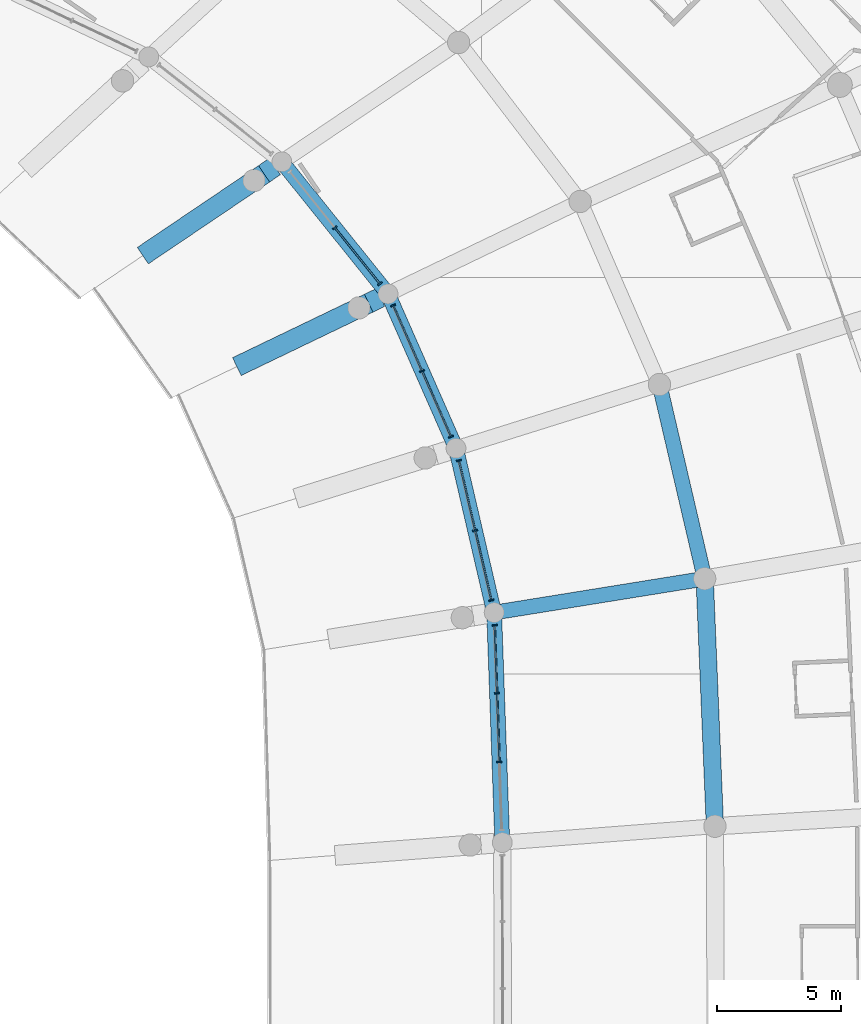
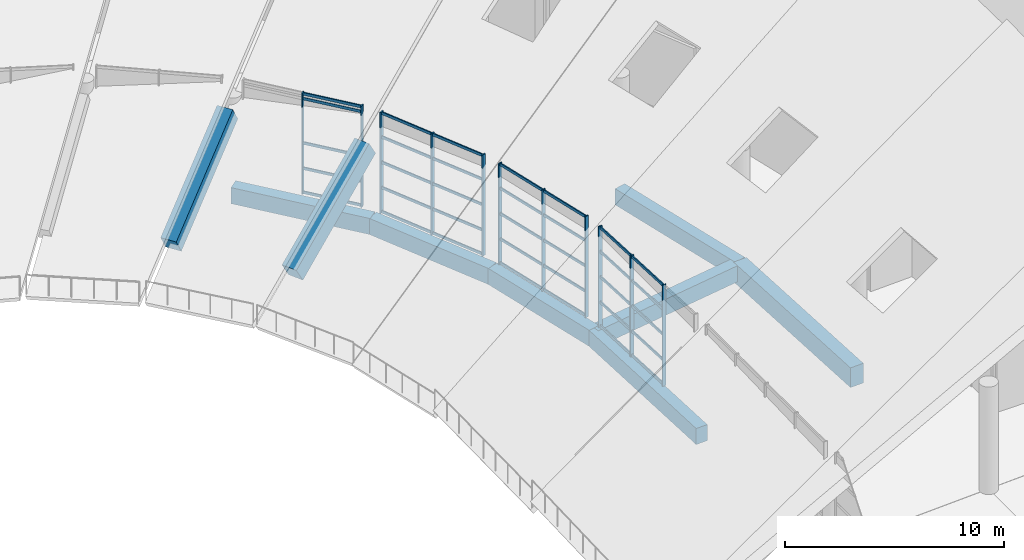
# One storey, part 78 of 249: 46 members, 9 beams, 4 elements without a shape of their own.
"""IFC4 building model written with IfcOpenShell, lengths in metres."""

from ifc_helpers import new_model, si_unit, direction, frame, origin, origin_2d, place, context, subcontext, project, spatial, rectangle, extrude, material, layer, layer_set, material_profile, profile_set, type_object, element, aggregate, save


model = new_model("IFC4")

# Units and contexts
model_context = context("Model", 3, precision=1e-05, world=origin(), true_north=direction((0.0, 1.0)))
body_context = subcontext(model_context, "Body", "Model", "MODEL_VIEW")
ifc_project = project(units=[si_unit("LENGTHUNIT", "METRE"), si_unit("AREAUNIT", "SQUARE_METRE"), si_unit("VOLUMEUNIT", "CUBIC_METRE"), si_unit("PLANEANGLEUNIT", "RADIAN"), si_unit("MASSUNIT", "GRAM", prefix="KILO")], contexts=[model_context])

# Site, building, storey
site_placement = place(None, origin())
site = spatial("IfcSite", under=ifc_project, at=site_placement, CompositionType="ELEMENT")
building_placement = place(site_placement, origin())
building = spatial("IfcBuilding", under=site, at=building_placement, Name="Meseta Stadium", CompositionType="ELEMENT")
storey_placement = place(building_placement, frame((0.0, 0.0, 12.0)))
storey = spatial("IfcBuildingStorey", under=building, at=storey_placement, Name="L02", CompositionType="ELEMENT", Elevation=12.0)

# Curtain wall, members
ifc_material_1 = material(Name="Aluminium", Category="aluminium")
ifc_layer = layer(ifc_material_1, 0.199951171875)
ifc_layer_set = layer_set([ifc_layer], Name="Suite glazing curtain wall")
curtain_wall_type = type_object("IfcCurtainWallType", Name="Suite glazing curtain wall", PredefinedType="NOTDEFINED", material=ifc_layer_set)
curtain_wall_1_placement = place(storey_placement, origin())
curtain_wall_1 = element("IfcCurtainWall", 1, at=curtain_wall_1_placement, inside=storey, type_object=curtain_wall_type, Name="Suite glazing bay 08", PredefinedType="NOTDEFINED")
ifc_material_2 = material(Name="Aluminium", Category="aluminium")
ifc_material_profile_1 = material_profile(ifc_material_2, rectangle(XDim=0.199951171875, YDim=0.06005859375, at=origin_2d()), Name="CW 200x60")
ifc_profile_set_1 = profile_set([ifc_material_profile_1], Name="Aluminium")
member_type_1 = type_object("IfcMemberType", Name="CW mullion 60x200", PredefinedType="MULLION", material=ifc_profile_set_1)
member_1_placement = place(storey_placement, frame((64.71484375, 44.45458984375, 0.0), z_axis=(0.0, 0.0, 1.0), x_axis=(-0.999374260798, -0.035370706156, 0.0)))
member_1 = element("IfcMember", 2, at=member_1_placement, type_object=member_type_1, Name="CWS mullion 2", PredefinedType="MULLION", context=body_context, shape_type="SweptSolid", body=[
    extrude(rectangle(XDim=0.199951171875, YDim=0.06005859375, at=origin_2d()), origin(), (0.0, 0.0, 1.0), 5.64990234375),
])
member_2_placement = place(storey_placement, frame((64.61669921875, 47.225830078125, 0.0), z_axis=(0.0, 0.0, 1.0), x_axis=(-0.999374260798, -0.035370706156, 0.0)))
member_2 = element("IfcMember", 3, at=member_2_placement, type_object=member_type_1, Name="CWS mullion 3", PredefinedType="MULLION", context=body_context, shape_type="SweptSolid", body=[
    extrude(rectangle(XDim=0.199951171875, YDim=0.06005859375, at=origin_2d()), origin(), (0.0, 0.0, 1.0), 5.64990234375),
])
member_3_placement = place(storey_placement, frame((64.519775390625, 49.96728515625, 0.0), z_axis=(0.0, 0.0, 1.0), x_axis=(-0.999374260798, -0.035370706156, 0.0)))
member_3 = element("IfcMember", 4, at=member_3_placement, type_object=member_type_1, Name="CWS mullion 4", PredefinedType="MULLION", context=body_context, shape_type="SweptSolid", body=[
    extrude(rectangle(XDim=0.199951171875, YDim=0.06005859375, at=origin_2d()), origin(), (0.0, 0.0, 1.0), 5.64990234375),
])

curtain_wall_2_placement = place(storey_placement, origin())
curtain_wall_2 = element("IfcCurtainWall", 5, at=curtain_wall_2_placement, inside=storey, type_object=curtain_wall_type, Name="Suite glazing bay 09", PredefinedType="NOTDEFINED")
member_4_placement = place(storey_placement, frame((64.38623046875, 50.9765625, 0.0), z_axis=(0.0, 0.0, 1.0), x_axis=(-0.974092857522, -0.226148413492, 0.0)))
member_4 = element("IfcMember", 6, at=member_4_placement, type_object=member_type_1, Name="CWS mullion 1", PredefinedType="MULLION", context=body_context, shape_type="SweptSolid", body=[
    extrude(rectangle(XDim=0.199951171875, YDim=0.06005859375, at=origin_2d()), origin(), (0.0, 0.0, 1.0), 5.64990234375),
])
member_5_placement = place(storey_placement, frame((63.732666015625, 53.7919921875, 0.0), z_axis=(0.0, 0.0, 1.0), x_axis=(-0.974092857522, -0.226148413492, 0.0)))
member_5 = element("IfcMember", 7, at=member_5_placement, type_object=member_type_1, Name="CWS mullion 2", PredefinedType="MULLION", context=body_context, shape_type="SweptSolid", body=[
    extrude(rectangle(XDim=0.199951171875, YDim=0.06005859375, at=origin_2d()), origin(), (0.0, 0.0, 1.0), 5.64990234375),
])
member_6_placement = place(storey_placement, frame((63.0791015625, 56.607421875, 0.0), z_axis=(0.0, 0.0, 1.0), x_axis=(-0.974092857522, -0.226148413492, 0.0)))
member_6 = element("IfcMember", 8, at=member_6_placement, type_object=member_type_1, Name="CWS mullion 3", PredefinedType="MULLION", context=body_context, shape_type="SweptSolid", body=[
    extrude(rectangle(XDim=0.199951171875, YDim=0.06005859375, at=origin_2d()), origin(), (0.0, 0.0, 1.0), 5.64990234375),
])

curtain_wall_3_placement = place(storey_placement, origin())
curtain_wall_3 = element("IfcCurtainWall", 9, at=curtain_wall_3_placement, inside=storey, type_object=curtain_wall_type, Name="Suite glazing bay 10", PredefinedType="NOTDEFINED")
member_7_placement = place(storey_placement, frame((62.75732421875, 57.572998046875, 0.0), z_axis=(0.0, 0.0, 1.0), x_axis=(-0.915207323968, -0.402983317466, 0.0)))
member_7 = element("IfcMember", 10, at=member_7_placement, type_object=member_type_1, Name="CWS mullion 1", PredefinedType="MULLION", context=body_context, shape_type="SweptSolid", body=[
    extrude(rectangle(XDim=0.199951171875, YDim=0.06005859375, at=origin_2d()), origin(), (0.0, 0.0, 1.0), 5.64990234375),
])
member_8_placement = place(storey_placement, frame((61.59228515625, 60.21875, 0.0), z_axis=(0.0, 0.0, 1.0), x_axis=(-0.915207323968, -0.402983317466, 0.0)))
member_8 = element("IfcMember", 11, at=member_8_placement, type_object=member_type_1, Name="CWS mullion 2", PredefinedType="MULLION", context=body_context, shape_type="SweptSolid", body=[
    extrude(rectangle(XDim=0.199951171875, YDim=0.06005859375, at=origin_2d()), origin(), (0.0, 0.0, 1.0), 5.64990234375),
])
member_9_placement = place(storey_placement, frame((60.42724609375, 62.864501953125, 0.0), z_axis=(0.0, 0.0, 1.0), x_axis=(-0.915207323968, -0.402983317466, 0.0)))
member_9 = element("IfcMember", 12, at=member_9_placement, type_object=member_type_1, Name="CWS mullion 3", PredefinedType="MULLION", context=body_context, shape_type="SweptSolid", body=[
    extrude(rectangle(XDim=0.199951171875, YDim=0.06005859375, at=origin_2d()), origin(), (0.0, 0.0, 1.0), 5.64990234375),
])

curtain_wall_4_placement = place(storey_placement, origin())
curtain_wall_4 = element("IfcCurtainWall", 13, at=curtain_wall_4_placement, inside=storey, type_object=curtain_wall_type, Name="Suite glazing bay 11", PredefinedType="NOTDEFINED")
member_10_placement = place(storey_placement, frame((59.895263671875, 63.7373046875, 0.0), z_axis=(0.0, 0.0, 1.0), x_axis=(-0.779453526357, -0.626460054791, 0.0)))
member_10 = element("IfcMember", 14, at=member_10_placement, type_object=member_type_1, Name="CWS mullion 1", PredefinedType="MULLION", context=body_context, shape_type="SweptSolid", body=[
    extrude(rectangle(XDim=0.199951171875, YDim=0.06005859375, at=origin_2d()), origin(), (0.0, 0.0, 1.0), 5.64990234375),
])
member_11_placement = place(storey_placement, frame((58.07763671875, 65.998779296875, 0.0), z_axis=(0.0, 0.0, 1.0), x_axis=(-0.779453526357, -0.626460054791, 0.0)))
member_11 = element("IfcMember", 15, at=member_11_placement, type_object=member_type_1, Name="CWS mullion 2", PredefinedType="MULLION", context=body_context, shape_type="SweptSolid", body=[
    extrude(rectangle(XDim=0.199951171875, YDim=0.06005859375, at=origin_2d()), origin(), (0.0, 0.0, 1.0), 5.64990234375),
])

# Member
ifc_material_3 = material(Name="Aluminium", Category="aluminium")
ifc_material_profile_2 = material_profile(ifc_material_3, rectangle(XDim=0.06005859375, YDim=0.14990234375, at=origin_2d()), Name="CW 60x150")
ifc_profile_set_2 = profile_set([ifc_material_profile_2], Name="Aluminium")
member_type_2 = type_object("IfcMemberType", Name="CW transom 60x150", PredefinedType="USERDEFINED", material=ifc_profile_set_2)
member_12_placement = place(storey_placement, frame((64.7138671875, 44.484375, 0.074951171875), z_axis=(-0.035360963356, 0.999374605576, 0.0), x_axis=(-0.999374605576, -0.035360963356, 0.0)))
member_12 = element("IfcMember", 16, at=member_12_placement, type_object=member_type_2, Name="CWS transom 2.1", ObjectType="TRANSOM", PredefinedType="USERDEFINED", context=body_context, shape_type="SweptSolid", body=[
    extrude(rectangle(XDim=0.06005859375, YDim=0.14990234375, at=origin_2d()), origin(), (0.0, 0.0, 1.0), 2.71337890625),
])

member_13_placement = place(storey_placement, frame((64.7138671875, 44.484375, 1.41259765625), z_axis=(-0.035360963356, 0.999374605576, 0.0), x_axis=(-0.999374605576, -0.035360963356, 0.0)))
member_13 = element("IfcMember", 17, at=member_13_placement, type_object=member_type_2, Name="CWS transom 2.2", ObjectType="TRANSOM", PredefinedType="USERDEFINED", context=body_context, shape_type="SweptSolid", body=[
    extrude(rectangle(XDim=0.06005859375, YDim=0.14990234375, at=origin_2d()), origin(), (0.0, 0.0, 1.0), 2.71337890625),
])

member_14_placement = place(storey_placement, frame((64.7138671875, 44.484375, 2.824951171875), z_axis=(-0.035360963356, 0.999374605576, 0.0), x_axis=(-0.999374605576, -0.035360963356, 0.0)))
member_14 = element("IfcMember", 18, at=member_14_placement, type_object=member_type_2, Name="CWS transom 2.3", ObjectType="TRANSOM", PredefinedType="USERDEFINED", context=body_context, shape_type="SweptSolid", body=[
    extrude(rectangle(XDim=0.06005859375, YDim=0.14990234375, at=origin_2d()), origin(), (0.0, 0.0, 1.0), 2.71337890625),
])

member_15_placement = place(storey_placement, frame((64.7138671875, 44.484375, 4.237548828125), z_axis=(-0.035360963356, 0.999374605576, 0.0), x_axis=(-0.999374605576, -0.035360963356, 0.0)))
member_15 = element("IfcMember", 19, at=member_15_placement, type_object=member_type_2, Name="CWS transom 2.4", ObjectType="TRANSOM", PredefinedType="USERDEFINED", context=body_context, shape_type="SweptSolid", body=[
    extrude(rectangle(XDim=0.06005859375, YDim=0.14990234375, at=origin_2d()), origin(), (0.0, 0.0, 1.0), 2.71337890625),
])

member_16_placement = place(storey_placement, frame((64.7138671875, 44.484375, 5.574951171875), z_axis=(-0.035360963356, 0.999374605576, 0.0), x_axis=(-0.999374605576, -0.035360963356, 0.0)))
member_16 = element("IfcMember", 20, at=member_16_placement, type_object=member_type_2, Name="CWS transom 2.5", ObjectType="TRANSOM", PredefinedType="USERDEFINED", context=body_context, shape_type="SweptSolid", body=[
    extrude(rectangle(XDim=0.06005859375, YDim=0.14990234375, at=origin_2d()), origin(), (0.0, 0.0, 1.0), 2.71337890625),
])

member_17_placement = place(storey_placement, frame((64.61572265625, 47.255859375, 0.074951171875), z_axis=(-0.035396179242, 0.999373358908, 0.0), x_axis=(-0.999373358908, -0.035396179242, 0.0)))
member_17 = element("IfcMember", 21, at=member_17_placement, type_object=member_type_2, Name="CWS transom 3.1", ObjectType="TRANSOM", PredefinedType="USERDEFINED", context=body_context, shape_type="SweptSolid", body=[
    extrude(rectangle(XDim=0.06005859375, YDim=0.14990234375, at=origin_2d()), origin(), (0.0, 0.0, 1.0), 2.68310546875),
])

member_18_placement = place(storey_placement, frame((64.61572265625, 47.255859375, 1.41259765625), z_axis=(-0.035396179242, 0.999373358908, 0.0), x_axis=(-0.999373358908, -0.035396179242, 0.0)))
member_18 = element("IfcMember", 22, at=member_18_placement, type_object=member_type_2, Name="CWS transom 3.2", ObjectType="TRANSOM", PredefinedType="USERDEFINED", context=body_context, shape_type="SweptSolid", body=[
    extrude(rectangle(XDim=0.06005859375, YDim=0.14990234375, at=origin_2d()), origin(), (0.0, 0.0, 1.0), 2.68310546875),
])

member_19_placement = place(storey_placement, frame((64.61572265625, 47.255859375, 2.824951171875), z_axis=(-0.035396179242, 0.999373358908, 0.0), x_axis=(-0.999373358908, -0.035396179242, 0.0)))
member_19 = element("IfcMember", 23, at=member_19_placement, type_object=member_type_2, Name="CWS transom 3.3", ObjectType="TRANSOM", PredefinedType="USERDEFINED", context=body_context, shape_type="SweptSolid", body=[
    extrude(rectangle(XDim=0.06005859375, YDim=0.14990234375, at=origin_2d()), origin(), (0.0, 0.0, 1.0), 2.68310546875),
])

member_20_placement = place(storey_placement, frame((64.61572265625, 47.255859375, 4.237548828125), z_axis=(-0.035396179242, 0.999373358908, 0.0), x_axis=(-0.999373358908, -0.035396179242, 0.0)))
member_20 = element("IfcMember", 24, at=member_20_placement, type_object=member_type_2, Name="CWS transom 3.4", ObjectType="TRANSOM", PredefinedType="USERDEFINED", context=body_context, shape_type="SweptSolid", body=[
    extrude(rectangle(XDim=0.06005859375, YDim=0.14990234375, at=origin_2d()), origin(), (0.0, 0.0, 1.0), 2.68310546875),
])

member_21_placement = place(storey_placement, frame((64.61572265625, 47.255859375, 5.574951171875), z_axis=(-0.035396179242, 0.999373358908, 0.0), x_axis=(-0.999373358908, -0.035396179242, 0.0)))
member_21 = element("IfcMember", 25, at=member_21_placement, type_object=member_type_2, Name="CWS transom 3.5", ObjectType="TRANSOM", PredefinedType="USERDEFINED", context=body_context, shape_type="SweptSolid", body=[
    extrude(rectangle(XDim=0.06005859375, YDim=0.14990234375, at=origin_2d()), origin(), (0.0, 0.0, 1.0), 2.68310546875),
])

aggregate(curtain_wall_1, [member_1, member_2, member_3, member_12, member_13, member_14, member_15, member_16, member_17, member_18, member_19, member_20, member_21])

member_22_placement = place(storey_placement, frame((64.37939453125, 51.005859375, 0.074951171875), z_axis=(-0.226100473584, 0.974103986156, 0.0), x_axis=(-0.974103986156, -0.226100473584, 0.0)))
member_22 = element("IfcMember", 26, at=member_22_placement, type_object=member_type_2, Name="CWS transom 1.1", ObjectType="TRANSOM", PredefinedType="USERDEFINED", context=body_context, shape_type="SweptSolid", body=[
    extrude(rectangle(XDim=0.06005859375, YDim=0.14990234375, at=origin_2d()), origin(), (0.0, 0.0, 1.0), 2.830078125),
])

member_23_placement = place(storey_placement, frame((64.37939453125, 51.005859375, 1.41259765625), z_axis=(-0.226100473584, 0.974103986156, 0.0), x_axis=(-0.974103986156, -0.226100473584, 0.0)))
member_23 = element("IfcMember", 27, at=member_23_placement, type_object=member_type_2, Name="CWS transom 1.2", ObjectType="TRANSOM", PredefinedType="USERDEFINED", context=body_context, shape_type="SweptSolid", body=[
    extrude(rectangle(XDim=0.06005859375, YDim=0.14990234375, at=origin_2d()), origin(), (0.0, 0.0, 1.0), 2.830078125),
])

member_24_placement = place(storey_placement, frame((64.37939453125, 51.005859375, 2.824951171875), z_axis=(-0.226100473584, 0.974103986156, 0.0), x_axis=(-0.974103986156, -0.226100473584, 0.0)))
member_24 = element("IfcMember", 28, at=member_24_placement, type_object=member_type_2, Name="CWS transom 1.3", ObjectType="TRANSOM", PredefinedType="USERDEFINED", context=body_context, shape_type="SweptSolid", body=[
    extrude(rectangle(XDim=0.06005859375, YDim=0.14990234375, at=origin_2d()), origin(), (0.0, 0.0, 1.0), 2.830078125),
])

member_25_placement = place(storey_placement, frame((64.37939453125, 51.005859375, 4.237548828125), z_axis=(-0.226100473584, 0.974103986156, 0.0), x_axis=(-0.974103986156, -0.226100473584, 0.0)))
member_25 = element("IfcMember", 29, at=member_25_placement, type_object=member_type_2, Name="CWS transom 1.4", ObjectType="TRANSOM", PredefinedType="USERDEFINED", context=body_context, shape_type="SweptSolid", body=[
    extrude(rectangle(XDim=0.06005859375, YDim=0.14990234375, at=origin_2d()), origin(), (0.0, 0.0, 1.0), 2.830078125),
])

member_26_placement = place(storey_placement, frame((64.37939453125, 51.005859375, 5.574951171875), z_axis=(-0.226100473584, 0.974103986156, 0.0), x_axis=(-0.974103986156, -0.226100473584, 0.0)))
member_26 = element("IfcMember", 30, at=member_26_placement, type_object=member_type_2, Name="CWS transom 1.5", ObjectType="TRANSOM", PredefinedType="USERDEFINED", context=body_context, shape_type="SweptSolid", body=[
    extrude(rectangle(XDim=0.06005859375, YDim=0.14990234375, at=origin_2d()), origin(), (0.0, 0.0, 1.0), 2.830078125),
])

member_27_placement = place(storey_placement, frame((63.725830078125, 53.821044921875, 0.074951171875), z_axis=(-0.226163322124, 0.974089396167, 0.0), x_axis=(-0.974089396167, -0.226163322124, 0.0)))
member_27 = element("IfcMember", 31, at=member_27_placement, type_object=member_type_2, Name="CWS transom 2.1", ObjectType="TRANSOM", PredefinedType="USERDEFINED", context=body_context, shape_type="SweptSolid", body=[
    extrude(rectangle(XDim=0.06005859375, YDim=0.14990234375, at=origin_2d()), origin(), (0.0, 0.0, 1.0), 2.830322265625),
])

member_28_placement = place(storey_placement, frame((63.725830078125, 53.821044921875, 1.41259765625), z_axis=(-0.226163322124, 0.974089396167, 0.0), x_axis=(-0.974089396167, -0.226163322124, 0.0)))
member_28 = element("IfcMember", 32, at=member_28_placement, type_object=member_type_2, Name="CWS transom 2.2", ObjectType="TRANSOM", PredefinedType="USERDEFINED", context=body_context, shape_type="SweptSolid", body=[
    extrude(rectangle(XDim=0.06005859375, YDim=0.14990234375, at=origin_2d()), origin(), (0.0, 0.0, 1.0), 2.830322265625),
])

member_29_placement = place(storey_placement, frame((63.725830078125, 53.821044921875, 2.824951171875), z_axis=(-0.226163322124, 0.974089396167, 0.0), x_axis=(-0.974089396167, -0.226163322124, 0.0)))
member_29 = element("IfcMember", 33, at=member_29_placement, type_object=member_type_2, Name="CWS transom 2.3", ObjectType="TRANSOM", PredefinedType="USERDEFINED", context=body_context, shape_type="SweptSolid", body=[
    extrude(rectangle(XDim=0.06005859375, YDim=0.14990234375, at=origin_2d()), origin(), (0.0, 0.0, 1.0), 2.830322265625),
])

member_30_placement = place(storey_placement, frame((63.725830078125, 53.821044921875, 4.237548828125), z_axis=(-0.226163322124, 0.974089396167, 0.0), x_axis=(-0.974089396167, -0.226163322124, 0.0)))
member_30 = element("IfcMember", 34, at=member_30_placement, type_object=member_type_2, Name="CWS transom 2.4", ObjectType="TRANSOM", PredefinedType="USERDEFINED", context=body_context, shape_type="SweptSolid", body=[
    extrude(rectangle(XDim=0.06005859375, YDim=0.14990234375, at=origin_2d()), origin(), (0.0, 0.0, 1.0), 2.830322265625),
])

member_31_placement = place(storey_placement, frame((63.725830078125, 53.821044921875, 5.574951171875), z_axis=(-0.226163322124, 0.974089396167, 0.0), x_axis=(-0.974089396167, -0.226163322124, 0.0)))
member_31 = element("IfcMember", 35, at=member_31_placement, type_object=member_type_2, Name="CWS transom 2.5", ObjectType="TRANSOM", PredefinedType="USERDEFINED", context=body_context, shape_type="SweptSolid", body=[
    extrude(rectangle(XDim=0.06005859375, YDim=0.14990234375, at=origin_2d()), origin(), (0.0, 0.0, 1.0), 2.830322265625),
])

aggregate(curtain_wall_2, [member_4, member_5, member_6, member_22, member_23, member_24, member_25, member_26, member_27, member_28, member_29, member_30, member_31])

member_32_placement = place(storey_placement, frame((62.7451171875, 57.600341796875, 0.074951171875), z_axis=(-0.402935141114, 0.915228535425, 0.0), x_axis=(-0.915228535425, -0.402935141114, 0.0)))
member_32 = element("IfcMember", 36, at=member_32_placement, type_object=member_type_2, Name="CWS transom 1.1", ObjectType="TRANSOM", PredefinedType="USERDEFINED", context=body_context, shape_type="SweptSolid", body=[
    extrude(rectangle(XDim=0.06005859375, YDim=0.14990234375, at=origin_2d()), origin(), (0.0, 0.0, 1.0), 2.830810546875),
])

member_33_placement = place(storey_placement, frame((62.7451171875, 57.600341796875, 1.41259765625), z_axis=(-0.402935141114, 0.915228535425, 0.0), x_axis=(-0.915228535425, -0.402935141114, 0.0)))
member_33 = element("IfcMember", 37, at=member_33_placement, type_object=member_type_2, Name="CWS transom 1.2", ObjectType="TRANSOM", PredefinedType="USERDEFINED", context=body_context, shape_type="SweptSolid", body=[
    extrude(rectangle(XDim=0.06005859375, YDim=0.14990234375, at=origin_2d()), origin(), (0.0, 0.0, 1.0), 2.830810546875),
])

member_34_placement = place(storey_placement, frame((62.7451171875, 57.600341796875, 2.824951171875), z_axis=(-0.402935141114, 0.915228535425, 0.0), x_axis=(-0.915228535425, -0.402935141114, 0.0)))
member_34 = element("IfcMember", 38, at=member_34_placement, type_object=member_type_2, Name="CWS transom 1.3", ObjectType="TRANSOM", PredefinedType="USERDEFINED", context=body_context, shape_type="SweptSolid", body=[
    extrude(rectangle(XDim=0.06005859375, YDim=0.14990234375, at=origin_2d()), origin(), (0.0, 0.0, 1.0), 2.830810546875),
])

member_35_placement = place(storey_placement, frame((62.7451171875, 57.600341796875, 4.237548828125), z_axis=(-0.402935141114, 0.915228535425, 0.0), x_axis=(-0.915228535425, -0.402935141114, 0.0)))
member_35 = element("IfcMember", 39, at=member_35_placement, type_object=member_type_2, Name="CWS transom 1.4", ObjectType="TRANSOM", PredefinedType="USERDEFINED", context=body_context, shape_type="SweptSolid", body=[
    extrude(rectangle(XDim=0.06005859375, YDim=0.14990234375, at=origin_2d()), origin(), (0.0, 0.0, 1.0), 2.830810546875),
])

member_36_placement = place(storey_placement, frame((62.7451171875, 57.600341796875, 5.574951171875), z_axis=(-0.402935141114, 0.915228535425, 0.0), x_axis=(-0.915228535425, -0.402935141114, 0.0)))
member_36 = element("IfcMember", 40, at=member_36_placement, type_object=member_type_2, Name="CWS transom 1.5", ObjectType="TRANSOM", PredefinedType="USERDEFINED", context=body_context, shape_type="SweptSolid", body=[
    extrude(rectangle(XDim=0.06005859375, YDim=0.14990234375, at=origin_2d()), origin(), (0.0, 0.0, 1.0), 2.830810546875),
])

member_37_placement = place(storey_placement, frame((61.580322265625, 60.24609375, 0.074951171875), z_axis=(-0.402975573282, 0.915210733841, 0.0), x_axis=(-0.915210733841, -0.402975573282, 0.0)))
member_37 = element("IfcMember", 41, at=member_37_placement, type_object=member_type_2, Name="CWS transom 2.1", ObjectType="TRANSOM", PredefinedType="USERDEFINED", context=body_context, shape_type="SweptSolid", body=[
    extrude(rectangle(XDim=0.06005859375, YDim=0.14990234375, at=origin_2d()), origin(), (0.0, 0.0, 1.0), 2.8310546875),
])

member_38_placement = place(storey_placement, frame((61.580322265625, 60.24609375, 1.41259765625), z_axis=(-0.402975573282, 0.915210733841, 0.0), x_axis=(-0.915210733841, -0.402975573282, 0.0)))
member_38 = element("IfcMember", 42, at=member_38_placement, type_object=member_type_2, Name="CWS transom 2.2", ObjectType="TRANSOM", PredefinedType="USERDEFINED", context=body_context, shape_type="SweptSolid", body=[
    extrude(rectangle(XDim=0.06005859375, YDim=0.14990234375, at=origin_2d()), origin(), (0.0, 0.0, 1.0), 2.8310546875),
])

member_39_placement = place(storey_placement, frame((61.580322265625, 60.24609375, 2.824951171875), z_axis=(-0.402975573282, 0.915210733841, 0.0), x_axis=(-0.915210733841, -0.402975573282, 0.0)))
member_39 = element("IfcMember", 43, at=member_39_placement, type_object=member_type_2, Name="CWS transom 2.3", ObjectType="TRANSOM", PredefinedType="USERDEFINED", context=body_context, shape_type="SweptSolid", body=[
    extrude(rectangle(XDim=0.06005859375, YDim=0.14990234375, at=origin_2d()), origin(), (0.0, 0.0, 1.0), 2.8310546875),
])

member_40_placement = place(storey_placement, frame((61.580322265625, 60.24609375, 4.237548828125), z_axis=(-0.402975573282, 0.915210733841, 0.0), x_axis=(-0.915210733841, -0.402975573282, 0.0)))
member_40 = element("IfcMember", 44, at=member_40_placement, type_object=member_type_2, Name="CWS transom 2.4", ObjectType="TRANSOM", PredefinedType="USERDEFINED", context=body_context, shape_type="SweptSolid", body=[
    extrude(rectangle(XDim=0.06005859375, YDim=0.14990234375, at=origin_2d()), origin(), (0.0, 0.0, 1.0), 2.8310546875),
])

member_41_placement = place(storey_placement, frame((61.580322265625, 60.24609375, 5.574951171875), z_axis=(-0.402975573282, 0.915210733841, 0.0), x_axis=(-0.915210733841, -0.402975573282, 0.0)))
member_41 = element("IfcMember", 45, at=member_41_placement, type_object=member_type_2, Name="CWS transom 2.5", ObjectType="TRANSOM", PredefinedType="USERDEFINED", context=body_context, shape_type="SweptSolid", body=[
    extrude(rectangle(XDim=0.06005859375, YDim=0.14990234375, at=origin_2d()), origin(), (0.0, 0.0, 1.0), 2.8310546875),
])

aggregate(curtain_wall_3, [member_7, member_8, member_9, member_32, member_33, member_34, member_35, member_36, member_37, member_38, member_39, member_40, member_41])

member_42_placement = place(storey_placement, frame((59.87646484375, 63.760498046875, 0.074951171875), z_axis=(-0.626443314889, 0.779466980205, 0.0), x_axis=(-0.779466980205, -0.626443314889, 0.0)))
member_42 = element("IfcMember", 46, at=member_42_placement, type_object=member_type_2, Name="CWS transom 1.1", ObjectType="TRANSOM", PredefinedType="USERDEFINED", context=body_context, shape_type="SweptSolid", body=[
    extrude(rectangle(XDim=0.06005859375, YDim=0.14990234375, at=origin_2d()), origin(), (0.0, 0.0, 1.0), 2.841552734375),
])

member_43_placement = place(storey_placement, frame((59.87646484375, 63.760498046875, 1.41259765625), z_axis=(-0.626443314889, 0.779466980205, 0.0), x_axis=(-0.779466980205, -0.626443314889, 0.0)))
member_43 = element("IfcMember", 47, at=member_43_placement, type_object=member_type_2, Name="CWS transom 1.2", ObjectType="TRANSOM", PredefinedType="USERDEFINED", context=body_context, shape_type="SweptSolid", body=[
    extrude(rectangle(XDim=0.06005859375, YDim=0.14990234375, at=origin_2d()), origin(), (0.0, 0.0, 1.0), 2.841552734375),
])

member_44_placement = place(storey_placement, frame((59.87646484375, 63.760498046875, 2.824951171875), z_axis=(-0.626443314889, 0.779466980205, 0.0), x_axis=(-0.779466980205, -0.626443314889, 0.0)))
member_44 = element("IfcMember", 48, at=member_44_placement, type_object=member_type_2, Name="CWS transom 1.3", ObjectType="TRANSOM", PredefinedType="USERDEFINED", context=body_context, shape_type="SweptSolid", body=[
    extrude(rectangle(XDim=0.06005859375, YDim=0.14990234375, at=origin_2d()), origin(), (0.0, 0.0, 1.0), 2.841552734375),
])

member_45_placement = place(storey_placement, frame((59.87646484375, 63.760498046875, 5.307373046875), z_axis=(-0.626443314889, 0.779466980205, 0.0), x_axis=(-0.779466980205, -0.626443314889, 0.0)))
member_45 = element("IfcMember", 49, at=member_45_placement, type_object=member_type_2, Name="CWS transom 1.4", ObjectType="TRANSOM", PredefinedType="USERDEFINED", context=body_context, shape_type="SweptSolid", body=[
    extrude(rectangle(XDim=0.06005859375, YDim=0.14990234375, at=origin_2d()), origin(), (0.0, 0.0, 1.0), 2.841552734375),
])

member_46_placement = place(storey_placement, frame((59.87646484375, 63.760498046875, 5.574951171875), z_axis=(-0.626443314889, 0.779466980205, 0.0), x_axis=(-0.779466980205, -0.626443314889, 0.0)))
member_46 = element("IfcMember", 50, at=member_46_placement, type_object=member_type_2, Name="CWS transom 1.5", ObjectType="TRANSOM", PredefinedType="USERDEFINED", context=body_context, shape_type="SweptSolid", body=[
    extrude(rectangle(XDim=0.06005859375, YDim=0.14990234375, at=origin_2d()), origin(), (0.0, 0.0, 1.0), 2.841552734375),
])

aggregate(curtain_wall_4, [member_10, member_11, member_42, member_43, member_44, member_45, member_46])

# Beams
ifc_material_4 = material(Name="Concrete C40/50", Category="concrete")
ifc_material_profile_3 = material_profile(ifc_material_4, rectangle(XDim=0.60009765625, YDim=0.89990234375, at=origin_2d()), Name="RC 600x900")
ifc_profile_set_3 = profile_set([ifc_material_profile_3], Name="Concrete C40/50")
beam_type_1 = type_object("IfcBeamType", Name="RC beam 600x900", PredefinedType="BEAM", material=ifc_profile_set_3)
beam_1_placement = place(storey_placement, frame((64.829833984375, 41.2041015625, -0.800048828125), z_axis=(-0.035352824386, 0.999374893525, 0.0), x_axis=(-0.999374893525, -0.035352824386, 0.0)))
element("IfcBeam", 51, at=beam_1_placement, inside=storey, type_object=beam_type_1, Name="L02 ring beam frame 8 line D", PredefinedType="BEAM", context=body_context, shape_type="SweptSolid", body=[
    extrude(rectangle(XDim=0.60009765625, YDim=0.89990234375, at=origin_2d()), origin(), (0.0, 0.0, 1.0), 9.281494140625),
])
beam_2_placement = place(storey_placement, frame((64.501708984375, 50.479736328125, -0.800048828125), z_axis=(-0.226157078617, 0.974090845759, 0.0), x_axis=(-0.974090845759, -0.226157078617, 0.0)))
element("IfcBeam", 52, at=beam_2_placement, inside=storey, type_object=beam_type_1, Name="L02 ring beam frame 9 line D", PredefinedType="BEAM", context=body_context, shape_type="SweptSolid", body=[
    extrude(rectangle(XDim=0.60009765625, YDim=0.89990234375, at=origin_2d()), origin(), (0.0, 0.0, 1.0), 6.801025390625),
])
beam_3_placement = place(storey_placement, frame((72.9921875, 51.84716796875, -0.800048828125), z_axis=(-0.226697740265, 0.973965160855, 0.0), x_axis=(-0.973965160855, -0.226697740265, 0.0)))
element("IfcBeam", 53, at=beam_3_placement, inside=storey, type_object=beam_type_1, Name="L02 ring beam frame 9 line E", PredefinedType="BEAM", context=body_context, shape_type="SweptSolid", body=[
    extrude(rectangle(XDim=0.60009765625, YDim=0.89990234375, at=origin_2d()), origin(), (0.0, 0.0, 1.0), 8.039306640625),
])
beam_4_placement = place(storey_placement, frame((62.963623046875, 57.1044921875, -0.800048828125), z_axis=(-0.402982741988, 0.915207577361, 0.0), x_axis=(-0.915207577361, -0.402982741988, 0.0)))
element("IfcBeam", 54, at=beam_4_placement, inside=storey, type_object=beam_type_1, Name="L02 ring beam frame 10 line D", PredefinedType="BEAM", context=body_context, shape_type="SweptSolid", body=[
    extrude(rectangle(XDim=0.60009765625, YDim=0.89990234375, at=origin_2d()), origin(), (0.0, 0.0, 1.0), 6.802978515625),
])
beam_5_placement = place(storey_placement, frame((60.22216796875, 63.33056640625, -0.800048828125), z_axis=(-0.626466293445, 0.779448512204, 0.0), x_axis=(-0.779448512204, -0.626466293445, 0.0)))
element("IfcBeam", 55, at=beam_5_placement, inside=storey, type_object=beam_type_1, Name="L02 ring beam frame 11 line D", PredefinedType="BEAM", context=body_context, shape_type="SweptSolid", body=[
    extrude(rectangle(XDim=0.60009765625, YDim=0.89990234375, at=origin_2d()), origin(), (0.0, 0.0, 1.0), 6.835205078125),
])
beam_6_placement = place(storey_placement, frame((64.501708984375, 50.479736328125, -0.800048828125), z_axis=(0.987277660392, 0.159005727229, 0.0), x_axis=(-0.159005727229, 0.987277660392, 0.0)))
element("IfcBeam", 56, at=beam_6_placement, inside=storey, type_object=beam_type_1, Name="L02 radial beam frame 9 line D to E", PredefinedType="BEAM", context=body_context, shape_type="SweptSolid", body=[
    extrude(rectangle(XDim=0.60009765625, YDim=0.89990234375, at=origin_2d()), origin(), (0.0, 0.0, 1.0), 8.599853515625),
])
ifc_material_5 = material(Name="Concrete C40/50", Category="concrete")
ifc_material_profile_4 = material_profile(ifc_material_5, rectangle(XDim=0.699951171875, YDim=1.10009765625, at=origin_2d()), Name="RC 700x1100")
ifc_profile_set_4 = profile_set([ifc_material_profile_4], Name="Concrete C40/50")
beam_type_2 = type_object("IfcBeamType", Name="RC beam 700x1100", PredefinedType="BEAM", material=ifc_profile_set_4)
beam_7_placement = place(storey_placement, frame((73.40478515625, 41.8623046875, -0.89990234375), z_axis=(-0.041287079546, 0.999147325004, 0.0), x_axis=(-0.999147325004, -0.041287079546, 0.0)))
element("IfcBeam", 57, at=beam_7_placement, inside=storey, type_object=beam_type_2, Name="L02 ring beam frame 8 line E", PredefinedType="BEAM", context=body_context, shape_type="SweptSolid", body=[
    extrude(rectangle(XDim=0.699951171875, YDim=1.10009765625, at=origin_2d()), origin(), (0.0, 0.0, 1.0), 9.993408203125),
])
ifc_material_6 = material(Name="Concrete C40/50", Category="concrete")
ifc_material_profile_5 = material_profile(ifc_material_6, rectangle(XDim=0.800048828125, YDim=1.0, at=origin_2d()), Name="RC 800x1000")
ifc_profile_set_5 = profile_set([ifc_material_profile_5], Name="Concrete C40/50")
beam_type_3 = type_object("IfcBeamType", Name="RC raker upper front 800x1000", PredefinedType="USERDEFINED", material=ifc_profile_set_5)
for number, where, z_axis, x_axis, name in (
    (58, (54.3642578125, 60.513427734375, 0.200927734375), (0.764771792007, 0.367795571398, 0.529009001634), (-0.433406251215, 0.901198658126, 0.0), "Raker upper front frame 11 upper tier"),
    (59, (50.552978515625, 65.021240234375, 0.368896484375), (0.703348599251, 0.474821755321, 0.529003826646), (-0.559522600804, 0.828815093485, 0.0), "Raker upper front frame 12 upper tier"),
):
    element("IfcBeam", number, at=place(storey_placement, frame(where, z_axis=z_axis, x_axis=x_axis)), inside=storey, type_object=beam_type_3, Name=name, ObjectType="RAKER", PredefinedType="USERDEFINED", context=body_context, shape_type="SweptSolid", body=[
        extrude(rectangle(XDim=0.800048828125, YDim=1.0, at=origin_2d()), origin(), (0.0, 0.0, 1.0), 6.95263671875),
    ])

save(model, "model.ifc")
